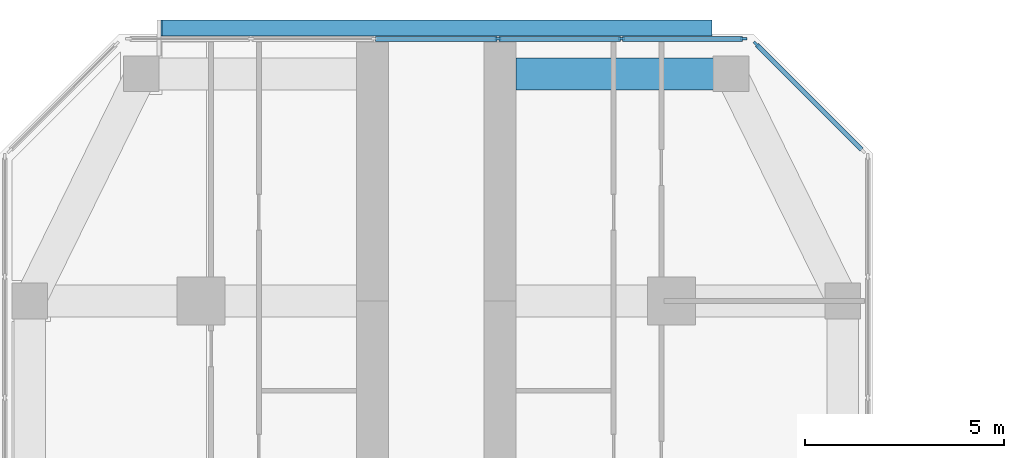
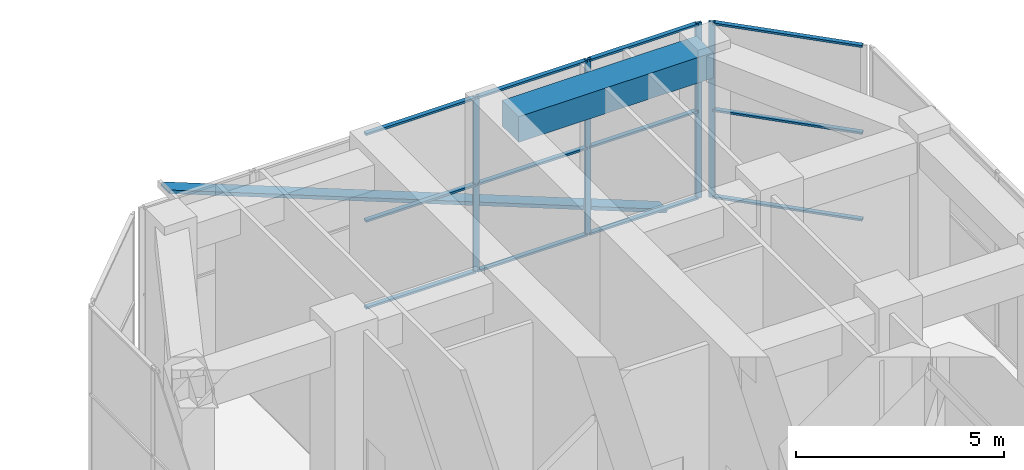
# One storey, part 9 of 20: 17 members, 1 beam, 2 elements without a shape of their own.
"""IFC4 building model written with IfcOpenShell, lengths in metres."""

import ifcopenshell
import ifcopenshell.guid

model = None  # the IFC model being written
_history = None  # IfcOwnerHistory: only IFC2X3 demands one
_inside = {}  # id of a spatial element -> (the spatial element, [elements in it])
_under = {}  # id of a project, library or spatial element -> (it, [spatial elements below it])
_declared = {}  # id of a project -> (the project, [libraries it declares])
_typed = {}  # id of a type object -> (the type object, [elements of that type])
_made_of = {}  # id of a material, layer set ... -> (it, [elements and type objects made of it])


def new_model(schema):
    """Start an empty IFC model of exactly this schema.

    Asked for "IFC4X3", IfcOpenShell would pick the latest addendum, in which some entities
    have other attributes; the version numbers below select the first issue.
    IFC2X3 requires an IfcOwnerHistory on every rooted entity: one is made here for all.
    """
    global model, _history
    if schema == "IFC4X3":
        model = ifcopenshell.file(schema_version=(4, 3, 0, 0))
    else:
        model = ifcopenshell.file(schema=schema)
    _inside.clear()
    _under.clear()
    _declared.clear()
    _typed.clear()
    _made_of.clear()
    _history = None
    if model.schema == "IFC2X3":
        org = make("IfcOrganization", Name="unknown")
        user = make(
            "IfcPersonAndOrganization",
            ThePerson=make("IfcPerson", FamilyName="unknown"),
            TheOrganization=org,
        )
        app = make(
            "IfcApplication",
            ApplicationDeveloper=org,
            Version="unknown",
            ApplicationFullName="unknown",
            ApplicationIdentifier="unknown",
        )
        _history = make(
            "IfcOwnerHistory",
            OwningUser=user,
            OwningApplication=app,
            ChangeAction="ADDED",
            CreationDate=0,
        )
    return model


def make(cls, **values):
    """One entity of the class cls with the attributes given. An attribute that is None is left unset."""
    return model.create_entity(
        cls, **{name: value for name, value in values.items() if value is not None}
    )


def rooted(cls, **values):
    """An entity with a GlobalId (a new one), such as an element, a storey or a relation."""
    return make(cls, GlobalId=ifcopenshell.guid.new(), OwnerHistory=_history, **values)


def si_unit(unit_type, name, prefix=None):
    """IfcSIUnit, for example si_unit("LENGTHUNIT", "METRE", prefix="MILLI")."""
    return make("IfcSIUnit", UnitType=unit_type, Prefix=prefix, Name=name)


def assignment(units):
    """IfcUnitAssignment: the units of a project."""
    return None if units is None else make("IfcUnitAssignment", Units=units)


def point(xyz):
    """IfcCartesianPoint."""
    return None if xyz is None else make("IfcCartesianPoint", Coordinates=xyz)


def direction(xyz):
    """IfcDirection."""
    return None if xyz is None else make("IfcDirection", DirectionRatios=xyz)


def frame(location, z_axis=None, x_axis=None):
    """IfcAxis2Placement3D, a coordinate frame: its origin and axes. An axis left out is left unset."""
    return make(
        "IfcAxis2Placement3D",
        Location=point(location),
        Axis=direction(z_axis),
        RefDirection=direction(x_axis),
    )


def frame_2d(location, x_axis=None):
    """IfcAxis2Placement2D, a coordinate frame in the plane: its origin and x axis."""
    return make(
        "IfcAxis2Placement2D", Location=point(location), RefDirection=direction(x_axis)
    )


def origin():
    """The frame at (0, 0, 0) with its axes left unset."""
    return frame((0.0, 0.0, 0.0))


def origin_2d():
    """The frame at (0, 0) in the plane with its x axis left unset."""
    return frame_2d((0.0, 0.0))


def place(relative_to, where):
    """IfcLocalPlacement: puts the frame where relative to a parent placement (None: the world)."""
    return make(
        "IfcLocalPlacement", PlacementRelTo=relative_to, RelativePlacement=where
    )


def context(
    kind, dimensions, precision=None, world=None, true_north=None, identifier=None
):
    """IfcGeometricRepresentationContext, for example the 3D "Model" context."""
    return make(
        "IfcGeometricRepresentationContext",
        ContextIdentifier=identifier,
        ContextType=kind,
        CoordinateSpaceDimension=dimensions,
        Precision=precision,
        WorldCoordinateSystem=world,
        TrueNorth=true_north,
    )


def subcontext(parent, identifier, kind, view, scale=None):
    """IfcGeometricRepresentationSubContext, for example "Body" below "Model"."""
    return make(
        "IfcGeometricRepresentationSubContext",
        ContextIdentifier=identifier,
        ContextType=kind,
        ParentContext=parent,
        TargetScale=scale,
        TargetView=view,
    )


def project(units=None, contexts=None):
    """IfcProject with its units and contexts."""
    return rooted(
        "IfcProject",
        Name="project",
        RepresentationContexts=contexts,
        UnitsInContext=assignment(units),
    )


def spatial(cls, under=None, at=None, **own):
    """A site, building, storey or space (cls), placed at a placement, below another one or the project."""
    s = rooted(cls, ObjectPlacement=at, **own)
    if under is not None:
        _under.setdefault(under.id(), (under, []))[1].append(s)
    return s


def profile(cls, at=None, kind="AREA", **sizes):
    """A parametric profile (cls). Its sizes go by their IFC names, for example OverallWidth=200.0."""
    return make(cls, ProfileType=kind, Position=at, **sizes)


def rectangle(**sizes):
    """IfcRectangleProfileDef."""
    return profile("IfcRectangleProfileDef", **sizes)


def extrude(swept, where, along, depth):
    """IfcExtrudedAreaSolid: the profile swept, set in the frame where, extruded along a direction by depth."""
    return make(
        "IfcExtrudedAreaSolid",
        SweptArea=swept,
        Position=where,
        ExtrudedDirection=direction(along),
        Depth=depth,
    )


def shape(context_of_items, identifier, shape_type, items):
    """IfcShapeRepresentation: the items that make up one representation, for example the "Body"."""
    return make(
        "IfcShapeRepresentation",
        ContextOfItems=context_of_items,
        RepresentationIdentifier=identifier,
        RepresentationType=shape_type,
        Items=items,
    )


def material(Name=None, Category=None):
    """IfcMaterial."""
    return make("IfcMaterial", Name=Name, Category=Category)


def material_profile(
    of_material, cross_section, Name=None, Category=None, Priority=None
):
    """IfcMaterialProfile: a cross section and its material."""
    return make(
        "IfcMaterialProfile",
        Name=Name,
        Material=of_material,
        Profile=cross_section,
        Priority=Priority,
        Category=Category,
    )


def profile_set(profiles, Name=None, composite=None):
    """IfcMaterialProfileSet."""
    return make(
        "IfcMaterialProfileSet",
        Name=Name,
        MaterialProfiles=profiles,
        CompositeProfile=composite,
    )


def made_of(thing, what):
    """Note that an element or type object is made of a material, layer set ...; save() writes the relation."""
    if what is not None:
        _made_of.setdefault(what.id(), (what, []))[1].append(thing)
    return thing


def type_object(cls, material=None, **own):
    """A type object (cls), such as IfcWallType, which elements share."""
    return made_of(rooted(cls, **own), material)


def element(
    cls,
    number,
    at=None,
    inside=None,
    cuts=None,
    type_object=None,
    material=None,
    context=None,
    identifier="Body",
    shape_type=None,
    held_by="IfcProductDefinitionShape",
    body=None,
    shapes=None,
    **own,
):
    """One element of the class cls, such as IfcWall. Its Tag is "e" and its number.

    at: its placement. inside: the storey or other place that contains it. cuts: it is an
    opening in that element (IfcRelVoidsElement). A single representation is given by context,
    identifier, shape_type and body (its items); several are given by shapes. held_by: the class
    of the entity that holds the representations. save() writes the other relations.
    """
    e = rooted(cls, Tag="e%d" % number, ObjectPlacement=at, **own)
    if body is not None:
        shapes = [shape(context, identifier, shape_type, body)]
    if shapes is not None:
        e.Representation = make(held_by, Representations=shapes)
    if inside is not None:
        _inside.setdefault(inside.id(), (inside, []))[1].append(e)
    if cuts is not None:
        rooted(
            "IfcRelVoidsElement", RelatingBuildingElement=cuts, RelatedOpeningElement=e
        )
    if type_object is not None:
        _typed.setdefault(type_object.id(), (type_object, []))[1].append(e)
    return made_of(e, material)


def aggregate(whole, parts):
    """IfcRelAggregates: a whole, such as a stair, and the parts it consists of."""
    return rooted("IfcRelAggregates", RelatingObject=whole, RelatedObjects=parts)


def save(model, path):
    """Write the relations noted so far, then the file.

    IfcRelAggregates (storeys below a building ...), IfcRelContainedInSpatialStructure (elements
    in a storey), IfcRelDefinesByType, IfcRelAssociatesMaterial and IfcRelDeclares: one each for
    every whole, place, type object, material and project.
    """
    for whole, parts in _under.values():
        aggregate(whole, parts)
    for where, things in _inside.values():
        rooted(
            "IfcRelContainedInSpatialStructure",
            RelatedElements=things,
            RelatingStructure=where,
        )
    for kind, things in _typed.values():
        rooted("IfcRelDefinesByType", RelatedObjects=things, RelatingType=kind)
    for what, things in _made_of.values():
        rooted("IfcRelAssociatesMaterial", RelatedObjects=things, RelatingMaterial=what)
    for by, libraries in _declared.values():
        rooted("IfcRelDeclares", RelatingContext=by, RelatedDefinitions=libraries)
    model.write(path)


model = new_model("IFC4")

# Units and contexts
model_context = context("Model", 3, precision=1e-05, world=origin(), true_north=direction((0.0, 1.0)))
body_context = subcontext(model_context, "Body", "Model", "MODEL_VIEW")
ifc_project = project(units=[si_unit("LENGTHUNIT", "METRE"), si_unit("AREAUNIT", "SQUARE_METRE"), si_unit("VOLUMEUNIT", "CUBIC_METRE"), si_unit("PLANEANGLEUNIT", "RADIAN"), si_unit("MASSUNIT", "GRAM", prefix="KILO")], contexts=[model_context])

# Site, building, storey
site_placement = place(None, origin())
site = spatial("IfcSite", under=ifc_project, at=site_placement, CompositionType="ELEMENT")
building_placement = place(site_placement, origin())
building = spatial("IfcBuilding", under=site, at=building_placement, Name="Kosmar Iwan School Tower", CompositionType="ELEMENT")
storey_placement = place(building_placement, frame((0.0, 0.0, 152.60009765625)))
storey = spatial("IfcBuildingStorey", under=building, at=storey_placement, Name="L38", CompositionType="ELEMENT", Elevation=152.60009765625)

# Member
ifc_material_1 = material(Name="Black anodised aluminium", Category="aluminium")
ifc_material_profile_1 = material_profile(ifc_material_1, rectangle(XDim=0.10009765625, YDim=0.39990234375, at=origin_2d()), Name="FIN 100x400")
ifc_profile_set_1 = profile_set([ifc_material_profile_1], Name="Black anodised aluminium")
member_type_1 = type_object("IfcMemberType", Name="Diagonal fin 100x400", PredefinedType="USERDEFINED", material=ifc_profile_set_1)
member_1_placement = place(storey_placement, frame((6.898193359375, 24.800048828125, -0.150146484375), z_axis=(-0.931207035523, 0.0, 0.364490681627), x_axis=(0.364490681627, 0.0, 0.931207035523)))
element("IfcMember", 1, at=member_1_placement, inside=storey, type_object=member_type_1, Name="Diagonal fin L38-F08", ObjectType="FIN", PredefinedType="USERDEFINED", context=body_context, shape_type="SweptSolid", body=[
    extrude(rectangle(XDim=0.10009765625, YDim=0.39990234375, at=origin_2d()), origin(), (0.0, 0.0, 1.0), 14.815673828125),
])

# Curtain wall, member
ifc_material_2 = material(Name="Dark glass in black aluminium frame", Category="aluminium")
curtain_wall_type_1 = type_object("IfcCurtainWallType", Name="Chamfer curtain wall dark glass", PredefinedType="USERDEFINED", material=ifc_material_2)
curtain_wall_1_placement = place(storey_placement, origin())
curtain_wall_1 = element("IfcCurtainWall", 2, at=curtain_wall_1_placement, inside=storey, type_object=curtain_wall_type_1, Name="Curtain wall L38-F07", ObjectType="FACETED CURTAIN WALL", PredefinedType="USERDEFINED")
ifc_material_3 = material(Name="Black anodised aluminium", Category="aluminium")
ifc_material_profile_2 = material_profile(ifc_material_3, rectangle(XDim=0.06005859375, YDim=0.159912109375, at=origin_2d()), Name="MULLION 60x160")
ifc_profile_set_2 = profile_set([ifc_material_profile_2], Name="Black anodised aluminium")
member_type_2 = type_object("IfcMemberType", Name="Mullion 60x160", PredefinedType="MULLION", material=ifc_profile_set_2)
member_2_placement = place(storey_placement, frame((8.025390625, 24.397705078125, 0.0), z_axis=(0.0, 0.0, 1.0), x_axis=(-0.707106781187, -0.707106781187, 0.0)))
member_2 = element("IfcMember", 3, at=member_2_placement, type_object=member_type_2, Name="CW2 mullion 2", PredefinedType="MULLION", context=body_context, shape_type="SweptSolid", body=[
    extrude(rectangle(XDim=0.06005859375, YDim=0.159912109375, at=origin_2d()), origin(), (0.0, 0.0, 1.0), 5.14990234375),
])

# Curtain wall, members
ifc_material_4 = material(Name="Dark glass in black aluminium frame", Category="aluminium")
curtain_wall_type_2 = type_object("IfcCurtainWallType", Name="Tower curtain wall dark glass", PredefinedType="USERDEFINED", material=ifc_material_4)
curtain_wall_2_placement = place(storey_placement, origin())
curtain_wall_2 = element("IfcCurtainWall", 4, at=curtain_wall_2_placement, inside=storey, type_object=curtain_wall_type_2, Name="Curtain wall L38-F08", ObjectType="UNITISED CURTAIN WALL", PredefinedType="USERDEFINED")
member_3_placement = place(storey_placement, frame((7.71826171875, 24.52490234375, 0.0), z_axis=(0.0, 0.0, 1.0), x_axis=(0.0, -1.0, 0.0)))
member_3 = element("IfcMember", 5, at=member_3_placement, type_object=member_type_2, Name="CW1 mullion 1", PredefinedType="MULLION", context=body_context, shape_type="SweptSolid", body=[
    extrude(rectangle(XDim=0.06005859375, YDim=0.159912109375, at=origin_2d()), origin(), (0.0, 0.0, 1.0), 5.14990234375),
])
member_4_placement = place(storey_placement, frame((4.64892578125, 24.52490234375, 0.0), z_axis=(0.0, 0.0, 1.0), x_axis=(0.0, -1.0, 0.0)))
member_4 = element("IfcMember", 6, at=member_4_placement, type_object=member_type_2, Name="CW1 mullion 2", PredefinedType="MULLION", context=body_context, shape_type="SweptSolid", body=[
    extrude(rectangle(XDim=0.06005859375, YDim=0.159912109375, at=origin_2d()), origin(), (0.0, 0.0, 1.0), 5.14990234375),
])
member_5_placement = place(storey_placement, frame((1.549560546875, 24.52490234375, 0.0), z_axis=(0.0, 0.0, 1.0), x_axis=(0.0, -1.0, 0.0)))
member_5 = element("IfcMember", 7, at=member_5_placement, type_object=member_type_2, Name="CW1 mullion 3", PredefinedType="MULLION", context=body_context, shape_type="SweptSolid", body=[
    extrude(rectangle(XDim=0.06005859375, YDim=0.159912109375, at=origin_2d()), origin(), (0.0, 0.0, 1.0), 5.14990234375),
])

# Beam
ifc_material_5 = material(Name="Concrete C50/60", Category="concrete")
ifc_material_profile_3 = material_profile(ifc_material_5, rectangle(XDim=0.800048828125, YDim=0.75, at=origin_2d()), Name="RC 800x750")
ifc_profile_set_3 = profile_set([ifc_material_profile_3], Name="Concrete C50/60")
beam_type = type_object("IfcBeamType", Name="RC tip beam 800x750", PredefinedType="BEAM", material=ifc_profile_set_3)
beam_placement = place(storey_placement, frame((7.39990234375, 23.64990234375, 4.77490234375), z_axis=(-1.0, 0.0, 0.0), x_axis=(0.0, -1.0, 0.0)))
element("IfcBeam", 8, at=beam_placement, inside=storey, type_object=beam_type, Name="Tip beam AR to corridor wall", PredefinedType="BEAM", context=body_context, shape_type="SweptSolid", body=[
    extrude(rectangle(XDim=0.800048828125, YDim=0.75, at=origin_2d()), origin(), (0.0, 0.0, 1.0), 5.39990234375),
])

# Member
ifc_material_6 = material(Name="Black anodised aluminium", Category="aluminium")
ifc_material_profile_4 = material_profile(ifc_material_6, rectangle(XDim=0.1201171875, YDim=0.06005859375, at=origin_2d()), Name="TRANSOM 60x120")
ifc_profile_set_4 = profile_set([ifc_material_profile_4], Name="Black anodised aluminium")
member_type_3 = type_object("IfcMemberType", Name="Transom 60x120", PredefinedType="USERDEFINED", material=ifc_profile_set_4)
member_6_placement = place(storey_placement, frame((10.676513671875, 21.746826171875, 0.02978515625), z_axis=(-0.707139603466, 0.707073957383, 0.0), x_axis=(-0.707073957383, -0.707139603466, 0.0)))
member_6 = element("IfcMember", 9, at=member_6_placement, type_object=member_type_3, Name="CW2 transom 1.1", ObjectType="TRANSOM", PredefinedType="USERDEFINED", context=body_context, shape_type="SweptSolid", body=[
    extrude(rectangle(XDim=0.1201171875, YDim=0.06005859375, at=origin_2d()), origin(), (0.0, 0.0, 1.0), 3.718994140625),
])

member_7_placement = place(storey_placement, frame((10.676513671875, 21.746826171875, 2.574951171875), z_axis=(-0.707139603466, 0.707073957383, 0.0), x_axis=(-0.707073957383, -0.707139603466, 0.0)))
member_7 = element("IfcMember", 10, at=member_7_placement, type_object=member_type_3, Name="CW2 transom 1.2", ObjectType="TRANSOM", PredefinedType="USERDEFINED", context=body_context, shape_type="SweptSolid", body=[
    extrude(rectangle(XDim=0.1201171875, YDim=0.06005859375, at=origin_2d()), origin(), (0.0, 0.0, 1.0), 3.718994140625),
])

member_8_placement = place(storey_placement, frame((10.676513671875, 21.746826171875, 5.119873046875), z_axis=(-0.707139603466, 0.707073957383, 0.0), x_axis=(-0.707073957383, -0.707139603466, 0.0)))
member_8 = element("IfcMember", 11, at=member_8_placement, type_object=member_type_3, Name="CW2 transom 1.3", ObjectType="TRANSOM", PredefinedType="USERDEFINED", context=body_context, shape_type="SweptSolid", body=[
    extrude(rectangle(XDim=0.1201171875, YDim=0.06005859375, at=origin_2d()), origin(), (0.0, 0.0, 1.0), 3.718994140625),
])

aggregate(curtain_wall_1, [member_2, member_6, member_7, member_8])

member_9_placement = place(storey_placement, frame((7.688232421875, 24.52490234375, 0.02978515625), z_axis=(-1.0, 0.0, 0.0), x_axis=(0.0, -1.0, 0.0)))
member_9 = element("IfcMember", 12, at=member_9_placement, type_object=member_type_3, Name="CW1 transom 1.1", ObjectType="TRANSOM", PredefinedType="USERDEFINED", context=body_context, shape_type="SweptSolid", body=[
    extrude(rectangle(XDim=0.1201171875, YDim=0.06005859375, at=origin_2d()), origin(), (0.0, 0.0, 1.0), 3.00927734375),
])

member_10_placement = place(storey_placement, frame((7.688232421875, 24.52490234375, 2.574951171875), z_axis=(-1.0, 0.0, 0.0), x_axis=(0.0, -1.0, 0.0)))
member_10 = element("IfcMember", 13, at=member_10_placement, type_object=member_type_3, Name="CW1 transom 1.2", ObjectType="TRANSOM", PredefinedType="USERDEFINED", context=body_context, shape_type="SweptSolid", body=[
    extrude(rectangle(XDim=0.1201171875, YDim=0.06005859375, at=origin_2d()), origin(), (0.0, 0.0, 1.0), 3.00927734375),
])

member_11_placement = place(storey_placement, frame((7.688232421875, 24.52490234375, 5.119873046875), z_axis=(-1.0, 0.0, 0.0), x_axis=(0.0, -1.0, 0.0)))
member_11 = element("IfcMember", 14, at=member_11_placement, type_object=member_type_3, Name="CW1 transom 1.3", ObjectType="TRANSOM", PredefinedType="USERDEFINED", context=body_context, shape_type="SweptSolid", body=[
    extrude(rectangle(XDim=0.1201171875, YDim=0.06005859375, at=origin_2d()), origin(), (0.0, 0.0, 1.0), 3.00927734375),
])

member_12_placement = place(storey_placement, frame((4.618896484375, 24.52490234375, 0.02978515625), z_axis=(-1.0, 0.0, 0.0), x_axis=(0.0, -1.0, 0.0)))
member_12 = element("IfcMember", 15, at=member_12_placement, type_object=member_type_3, Name="CW1 transom 2.1", ObjectType="TRANSOM", PredefinedType="USERDEFINED", context=body_context, shape_type="SweptSolid", body=[
    extrude(rectangle(XDim=0.1201171875, YDim=0.06005859375, at=origin_2d()), origin(), (0.0, 0.0, 1.0), 3.039306640625),
])

member_13_placement = place(storey_placement, frame((4.618896484375, 24.52490234375, 2.574951171875), z_axis=(-1.0, 0.0, 0.0), x_axis=(0.0, -1.0, 0.0)))
member_13 = element("IfcMember", 16, at=member_13_placement, type_object=member_type_3, Name="CW1 transom 2.2", ObjectType="TRANSOM", PredefinedType="USERDEFINED", context=body_context, shape_type="SweptSolid", body=[
    extrude(rectangle(XDim=0.1201171875, YDim=0.06005859375, at=origin_2d()), origin(), (0.0, 0.0, 1.0), 3.039306640625),
])

member_14_placement = place(storey_placement, frame((4.618896484375, 24.52490234375, 5.119873046875), z_axis=(-1.0, 0.0, 0.0), x_axis=(0.0, -1.0, 0.0)))
member_14 = element("IfcMember", 17, at=member_14_placement, type_object=member_type_3, Name="CW1 transom 2.3", ObjectType="TRANSOM", PredefinedType="USERDEFINED", context=body_context, shape_type="SweptSolid", body=[
    extrude(rectangle(XDim=0.1201171875, YDim=0.06005859375, at=origin_2d()), origin(), (0.0, 0.0, 1.0), 3.039306640625),
])

member_15_placement = place(storey_placement, frame((1.51953125, 24.52490234375, 0.02978515625), z_axis=(-1.0, 0.0, 0.0), x_axis=(0.0, -1.0, 0.0)))
member_15 = element("IfcMember", 18, at=member_15_placement, type_object=member_type_3, Name="CW1 transom 3.1", ObjectType="TRANSOM", PredefinedType="USERDEFINED", context=body_context, shape_type="SweptSolid", body=[
    extrude(rectangle(XDim=0.1201171875, YDim=0.06005859375, at=origin_2d()), origin(), (0.0, 0.0, 1.0), 3.0390625),
])

member_16_placement = place(storey_placement, frame((1.51953125, 24.52490234375, 2.574951171875), z_axis=(-1.0, 0.0, 0.0), x_axis=(0.0, -1.0, 0.0)))
member_16 = element("IfcMember", 19, at=member_16_placement, type_object=member_type_3, Name="CW1 transom 3.2", ObjectType="TRANSOM", PredefinedType="USERDEFINED", context=body_context, shape_type="SweptSolid", body=[
    extrude(rectangle(XDim=0.1201171875, YDim=0.06005859375, at=origin_2d()), origin(), (0.0, 0.0, 1.0), 3.0390625),
])

member_17_placement = place(storey_placement, frame((1.51953125, 24.52490234375, 5.119873046875), z_axis=(-1.0, 0.0, 0.0), x_axis=(0.0, -1.0, 0.0)))
member_17 = element("IfcMember", 20, at=member_17_placement, type_object=member_type_3, Name="CW1 transom 3.3", ObjectType="TRANSOM", PredefinedType="USERDEFINED", context=body_context, shape_type="SweptSolid", body=[
    extrude(rectangle(XDim=0.1201171875, YDim=0.06005859375, at=origin_2d()), origin(), (0.0, 0.0, 1.0), 3.0390625),
])

aggregate(curtain_wall_2, [member_3, member_4, member_5, member_9, member_10, member_11, member_12, member_13, member_14, member_15, member_16, member_17])

save(model, "model.ifc")
